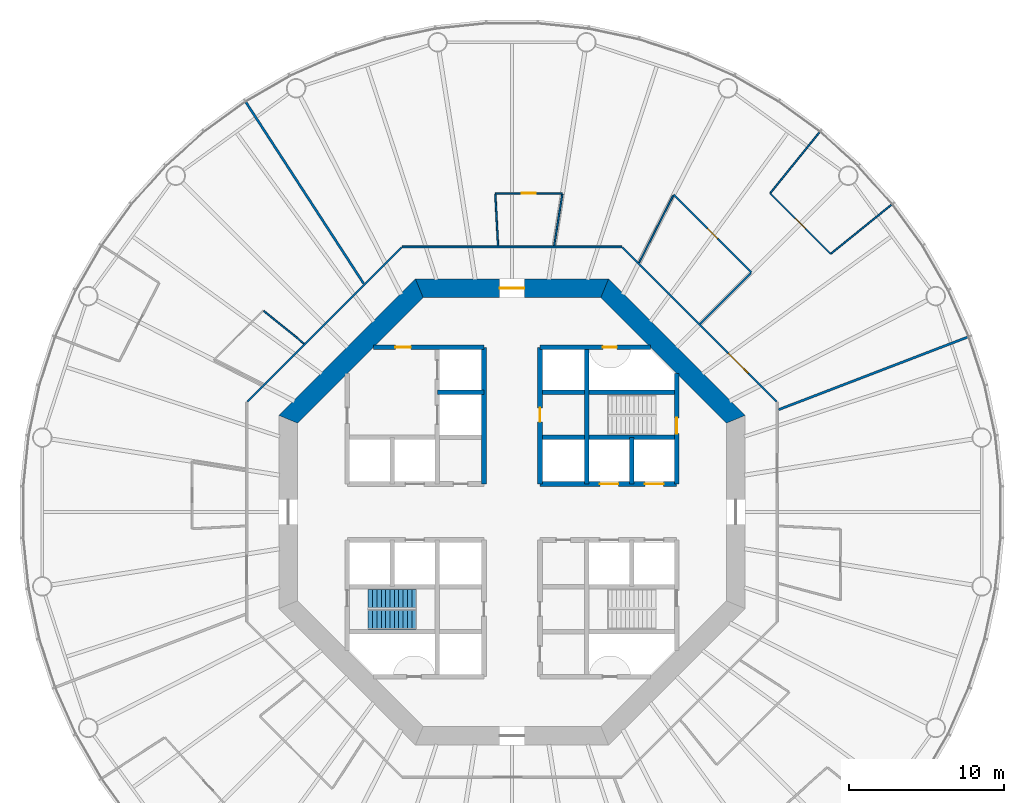
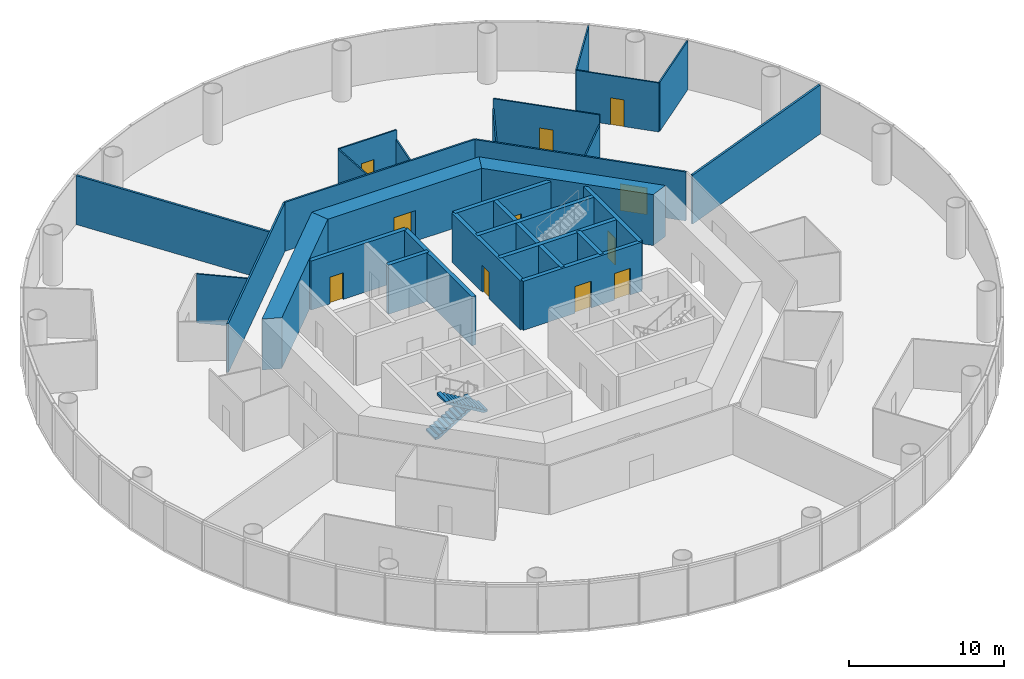
# One storey, part 5 of 13: 29 walls, 11 doors, 2 stair flights, 11 openings, 1 element without a shape of its own.
"""IFC4 building model written with IfcOpenShell, lengths in metres."""

from ifc_helpers import new_model, si_unit, direction, frame, frame_2d, origin, place, context, subcontext, project, spatial, polyline, rectangle, outline, extrude, material, layer, layer_set, type_object, element, fill, aggregate, save


model = new_model("IFC4")

# Units and contexts
model_context = context("Model", 3, precision=1e-05, world=origin(), true_north=direction((0.0, 1.0)))
body_context = subcontext(model_context, "Body", "Model", "MODEL_VIEW")
ifc_project = project(units=[si_unit("LENGTHUNIT", "METRE"), si_unit("AREAUNIT", "SQUARE_METRE"), si_unit("VOLUMEUNIT", "CUBIC_METRE"), si_unit("PLANEANGLEUNIT", "RADIAN"), si_unit("MASSUNIT", "GRAM", prefix="KILO")], contexts=[model_context])

# Site, building, storey
site_placement = place(None, origin())
site = spatial("IfcSite", under=ifc_project, at=site_placement, CompositionType="ELEMENT")
building_placement = place(site_placement, origin())
building = spatial("IfcBuilding", under=site, at=building_placement, Name="Entoto Ring Tower", CompositionType="ELEMENT")
storey_placement = place(building_placement, frame((0.0, 0.0, 108.0)))
storey = spatial("IfcBuildingStorey", under=building, at=storey_placement, Name="L24", CompositionType="ELEMENT", Elevation=108.0)

# Wall, opening, door
ifc_material_1 = material(Name="Concrete C40/50", Category="concrete")
ifc_layer_1 = layer(ifc_material_1, 0.300048828125)
ifc_layer_set_1 = layer_set([ifc_layer_1], Name="Concrete C40/50")
wall_type_1 = type_object("IfcWallType", Name="Core enclosure wall 300 mm reinforced concrete", PredefinedType="SOLIDWALL", material=ifc_layer_set_1)
wall_1_placement = place(storey_placement, frame((100.60009765625, 81.800048828125, 0.0), z_axis=(0.0, 0.0, 1.0), x_axis=(0.0, 1.0, 0.0)))
wall_1 = element("IfcWall", 1, at=wall_1_placement, inside=storey, type_object=wall_type_1, Name="wall-L24-002", PredefinedType="SOLIDWALL", context=body_context, shape_type="SweptSolid", body=[
    extrude(rectangle(XDim=7.115966796875, YDim=0.300048828125, at=frame_2d((3.55810546875, 0.0))), origin(), (0.0, 0.0, 1.0), 3.85009765625),
])
opening_1_placement = place(wall_1_placement, frame((3.25, 0.0, 0.0)))
opening_1 = element("IfcOpeningElement", 2, at=opening_1_placement, cuts=wall_1, Name="Opening K-17", PredefinedType="OPENING", context=body_context, shape_type="SweptSolid", body=[
    extrude(rectangle(XDim=1.0, YDim=2.10009765625, at=frame_2d((0.5, 1.050048828125))), frame((0.0, 0.16015625, 0.0), z_axis=(0.0, -1.0, 0.0), x_axis=(1.0, 0.0, 0.0)), (0.0, 0.0, 1.0), 0.320068359375),
])
ifc_material_2 = material(Name="Steel door leaf, fire rated", Category="steel")
ifc_layer_2 = layer(ifc_material_2, 0.050048828125)
ifc_layer_set_2 = layer_set([ifc_layer_2], Name="Steel door leaf, fire rated")
door_type_1 = type_object("IfcDoorType", Name="Fire door FD60 1000 x 2100 single leaf", OperationType="NOTDEFINED", PredefinedType="DOOR", material=ifc_layer_set_2)
door_1_placement = place(opening_1_placement, origin())
door_1 = element("IfcDoor", 3, at=door_1_placement, inside=storey, type_object=door_type_1, Name="Door K-17", OperationType="SINGLE_SWING_RIGHT", OverallHeight=2.10009765625, OverallWidth=1.0, PredefinedType="DOOR", context=body_context, shape_type="SweptSolid", body=[
    extrude(rectangle(XDim=1.0, YDim=2.10009765625, at=frame_2d((0.5, 1.050048828125))), frame((0.0, 0.02490234375, 0.0), z_axis=(0.0, -1.0, 0.0), x_axis=(1.0, 0.0, 0.0)), (0.0, 0.0, 1.0), 0.050048828125),
])
fill(opening_1, door_1)

# Walls
wall_2_placement = place(storey_placement, frame((97.699951171875, 81.800048828125, 0.0), z_axis=(0.0, 0.0, 1.0), x_axis=(0.0, 1.0, 0.0)))
element("IfcWall", 4, at=wall_2_placement, inside=storey, type_object=wall_type_1, Name="wall-L24-004", PredefinedType="SOLIDWALL", context=body_context, shape_type="SweptSolid", body=[
    extrude(rectangle(XDim=3.0, YDim=0.300048828125, at=frame_2d((1.5, 0.0))), origin(), (0.0, 0.0, 1.0), 3.85009765625),
])
wall_3_placement = place(storey_placement, frame((94.800048828125, 81.800048828125, 0.0), z_axis=(0.0, 0.0, 1.0), x_axis=(0.0, 1.0, 0.0)))
element("IfcWall", 5, at=wall_3_placement, inside=storey, type_object=wall_type_1, Name="wall-L24-006", PredefinedType="SOLIDWALL", context=body_context, shape_type="SweptSolid", body=[
    extrude(rectangle(XDim=8.800048828125, YDim=0.300048828125, at=frame_2d((4.39990234375, 0.0))), origin(), (0.0, 0.0, 1.0), 3.85009765625),
])

# Wall, opening, door
wall_4_placement = place(storey_placement, frame((91.800048828125, 81.800048828125, 0.0), z_axis=(0.0, 0.0, 1.0), x_axis=(0.0, 1.0, 0.0)))
wall_4 = element("IfcWall", 6, at=wall_4_placement, inside=storey, type_object=wall_type_1, Name="wall-L24-008", PredefinedType="SOLIDWALL", context=body_context, shape_type="SweptSolid", body=[
    extrude(rectangle(XDim=8.800048828125, YDim=0.300048828125, at=frame_2d((4.39990234375, 0.0))), origin(), (0.0, 0.0, 1.0), 3.85009765625),
])
opening_2_placement = place(wall_4_placement, frame((4.0, 0.0, 0.0)))
opening_2 = element("IfcOpeningElement", 7, at=opening_2_placement, cuts=wall_4, Name="Opening K-11", PredefinedType="OPENING", context=body_context, shape_type="SweptSolid", body=[
    extrude(rectangle(XDim=0.89990234375, YDim=2.10009765625, at=frame_2d((0.449951171875, 1.050048828125))), frame((0.0, 0.16015625, 0.0), z_axis=(0.0, -1.0, 0.0), x_axis=(1.0, 0.0, 0.0)), (0.0, 0.0, 1.0), 0.320068359375),
])
ifc_material_3 = material(Name="Steel door leaf, fire rated", Category="steel")
ifc_layer_3 = layer(ifc_material_3, 0.050048828125)
ifc_layer_set_3 = layer_set([ifc_layer_3], Name="Steel door leaf, fire rated")
door_type_2 = type_object("IfcDoorType", Name="Core door 900 x 2100 single leaf", OperationType="NOTDEFINED", PredefinedType="DOOR", material=ifc_layer_set_3)
door_2_placement = place(opening_2_placement, origin())
door_2 = element("IfcDoor", 8, at=door_2_placement, inside=storey, type_object=door_type_2, Name="Door K-11", OperationType="SINGLE_SWING_RIGHT", OverallHeight=2.10009765625, OverallWidth=0.89990234375, PredefinedType="DOOR", context=body_context, shape_type="SweptSolid", body=[
    extrude(rectangle(XDim=0.89990234375, YDim=2.10009765625, at=frame_2d((0.449951171875, 1.050048828125))), frame((0.0, 0.02490234375, 0.0), z_axis=(0.0, -1.0, 0.0), x_axis=(1.0, 0.0, 0.0)), (0.0, 0.0, 1.0), 0.050048828125),
])
fill(opening_2, door_2)

# Wall
wall_5_placement = place(storey_placement, frame((88.199951171875, 81.800048828125, 0.0), z_axis=(0.0, 0.0, 1.0), x_axis=(0.0, 1.0, 0.0)))
element("IfcWall", 9, at=wall_5_placement, inside=storey, type_object=wall_type_1, Name="wall-L24-010", PredefinedType="SOLIDWALL", context=body_context, shape_type="SweptSolid", body=[
    extrude(rectangle(XDim=8.800048828125, YDim=0.300048828125, at=frame_2d((4.39990234375, 0.0))), origin(), (0.0, 0.0, 1.0), 3.85009765625),
])

# Wall, openings, doors
wall_6_placement = place(storey_placement, frame((91.800048828125, 81.800048828125, 0.0), z_axis=(0.0, 0.0, 1.0), x_axis=(1.0, 0.0, 0.0)))
wall_6 = element("IfcWall", 10, at=wall_6_placement, inside=storey, type_object=wall_type_1, Name="wall-L24-026", PredefinedType="SOLIDWALL", context=body_context, shape_type="SweptSolid", body=[
    extrude(rectangle(XDim=8.800048828125, YDim=0.300048828125, at=frame_2d((4.39990234375, 0.0))), origin(), (0.0, 0.0, 1.0), 3.85009765625),
])
opening_3_placement = place(wall_6_placement, frame((3.85009765625, 0.0, 0.0)))
opening_3 = element("IfcOpeningElement", 11, at=opening_3_placement, cuts=wall_6, Name="Opening LD", PredefinedType="OPENING", context=body_context, shape_type="SweptSolid", body=[
    extrude(rectangle(XDim=1.199951171875, YDim=2.10009765625, at=frame_2d((0.60009765625, 1.050048828125))), frame((0.0, 0.16015625, 0.0), z_axis=(0.0, -1.0, 0.0), x_axis=(1.0, 0.0, 0.0)), (0.0, 0.0, 1.0), 0.320068359375),
])
opening_4_placement = place(wall_6_placement, frame((6.75, 0.0, 0.0)))
opening_4 = element("IfcOpeningElement", 12, at=opening_4_placement, cuts=wall_6, Name="Opening LD", PredefinedType="OPENING", context=body_context, shape_type="SweptSolid", body=[
    extrude(rectangle(XDim=1.199951171875, YDim=2.10009765625, at=frame_2d((0.60009765625, 1.050048828125))), frame((0.0, 0.16015625, 0.0), z_axis=(0.0, -1.0, 0.0), x_axis=(1.0, 0.0, 0.0)), (0.0, 0.0, 1.0), 0.320068359375),
])
ifc_material_4 = material(Name="Steel and glass door leaf", Category="steel")
ifc_layer_4 = layer(ifc_material_4, 0.050048828125)
ifc_layer_set_4 = layer_set([ifc_layer_4], Name="Steel and glass door leaf")
door_type_3 = type_object("IfcDoorType", Name="Landing door 1200 x 2100 sliding", OperationType="DOUBLE_DOOR_SLIDING", PredefinedType="DOOR", material=ifc_layer_set_4)
door_3_placement = place(opening_3_placement, origin())
door_3 = element("IfcDoor", 13, at=door_3_placement, inside=storey, type_object=door_type_3, Name="Landing door LB1-LR", OperationType="SLIDING_TO_RIGHT", OverallHeight=2.10009765625, OverallWidth=1.199951171875, PredefinedType="DOOR", context=body_context, shape_type="SweptSolid", body=[
    extrude(rectangle(XDim=1.199951171875, YDim=2.10009765625, at=frame_2d((0.60009765625, 1.050048828125))), frame((0.0, 0.02490234375, 0.0), z_axis=(0.0, -1.0, 0.0), x_axis=(1.0, 0.0, 0.0)), (0.0, 0.0, 1.0), 0.050048828125),
])
fill(opening_3, door_3)
door_4_placement = place(opening_4_placement, origin())
door_4 = element("IfcDoor", 14, at=door_4_placement, inside=storey, type_object=door_type_3, Name="Landing door LB2-LR", OperationType="SLIDING_TO_RIGHT", OverallHeight=2.10009765625, OverallWidth=1.199951171875, PredefinedType="DOOR", context=body_context, shape_type="SweptSolid", body=[
    extrude(rectangle(XDim=1.199951171875, YDim=2.10009765625, at=frame_2d((0.60009765625, 1.050048828125))), frame((0.0, 0.02490234375, 0.0), z_axis=(0.0, -1.0, 0.0), x_axis=(1.0, 0.0, 0.0)), (0.0, 0.0, 1.0), 0.050048828125),
])
fill(opening_4, door_4)

# Walls
wall_7_placement = place(storey_placement, frame((91.800048828125, 84.800048828125, 0.0), z_axis=(0.0, 0.0, 1.0), x_axis=(1.0, 0.0, 0.0)))
element("IfcWall", 15, at=wall_7_placement, inside=storey, type_object=wall_type_1, Name="wall-L24-028", PredefinedType="SOLIDWALL", context=body_context, shape_type="SweptSolid", body=[
    extrude(rectangle(XDim=8.800048828125, YDim=0.300048828125, at=frame_2d((4.39990234375, 0.0))), origin(), (0.0, 0.0, 1.0), 3.85009765625),
])
wall_8_placement = place(storey_placement, frame((85.199951171875, 87.699951171875, 0.0), z_axis=(0.0, 0.0, 1.0), x_axis=(1.0, 0.0, 0.0)))
element("IfcWall", 16, at=wall_8_placement, inside=storey, type_object=wall_type_1, Name="wall-L24-029", PredefinedType="SOLIDWALL", context=body_context, shape_type="SweptSolid", body=[
    extrude(rectangle(XDim=3.0, YDim=0.300048828125, at=frame_2d((1.5, 0.0))), origin(), (0.0, 0.0, 1.0), 3.85009765625),
])
wall_9_placement = place(storey_placement, frame((91.800048828125, 87.699951171875, 0.0), z_axis=(0.0, 0.0, 1.0), x_axis=(1.0, 0.0, 0.0)))
element("IfcWall", 17, at=wall_9_placement, inside=storey, type_object=wall_type_1, Name="wall-L24-030", PredefinedType="SOLIDWALL", context=body_context, shape_type="SweptSolid", body=[
    extrude(rectangle(XDim=8.800048828125, YDim=0.300048828125, at=frame_2d((4.39990234375, 0.0))), origin(), (0.0, 0.0, 1.0), 3.85009765625),
])

# Wall, opening, door
wall_10_placement = place(storey_placement, frame((81.083984375, 90.60009765625, 0.0), z_axis=(0.0, 0.0, 1.0), x_axis=(1.0, 0.0, 0.0)))
wall_10 = element("IfcWall", 18, at=wall_10_placement, inside=storey, type_object=wall_type_1, Name="wall-L24-031", PredefinedType="SOLIDWALL", context=body_context, shape_type="SweptSolid", body=[
    extrude(rectangle(XDim=7.115966796875, YDim=0.300048828125, at=frame_2d((3.55810546875, 0.0))), origin(), (0.0, 0.0, 1.0), 3.85009765625),
])
opening_5_placement = place(wall_10_placement, frame((1.416015625, 0.0, 0.0)))
opening_5 = element("IfcOpeningElement", 19, at=opening_5_placement, cuts=wall_10, Name="Opening K-73", PredefinedType="OPENING", context=body_context, shape_type="SweptSolid", body=[
    extrude(rectangle(XDim=1.0, YDim=2.10009765625, at=frame_2d((0.5, 1.050048828125))), frame((0.0, 0.16015625, 0.0), z_axis=(0.0, -1.0, 0.0), x_axis=(1.0, 0.0, 0.0)), (0.0, 0.0, 1.0), 0.320068359375),
])
door_5_placement = place(opening_5_placement, frame((1.0, 0.0, 0.0), z_axis=(0.0, 0.0, 1.0), x_axis=(-1.0, 0.0, 0.0)))
door_5 = element("IfcDoor", 20, at=door_5_placement, inside=storey, type_object=door_type_1, Name="Door K-73", OperationType="SINGLE_SWING_RIGHT", OverallHeight=2.10009765625, OverallWidth=1.0, PredefinedType="DOOR", context=body_context, shape_type="SweptSolid", body=[
    extrude(rectangle(XDim=1.0, YDim=2.10009765625, at=frame_2d((0.5, 1.050048828125))), frame((0.0, 0.02490234375, 0.0), z_axis=(0.0, -1.0, 0.0), x_axis=(1.0, 0.0, 0.0)), (0.0, 0.0, 1.0), 0.050048828125),
])
fill(opening_5, door_5)

wall_11_placement = place(storey_placement, frame((91.800048828125, 90.60009765625, 0.0), z_axis=(0.0, 0.0, 1.0), x_axis=(1.0, 0.0, 0.0)))
wall_11 = element("IfcWall", 21, at=wall_11_placement, inside=storey, type_object=wall_type_1, Name="wall-L24-032", PredefinedType="SOLIDWALL", context=body_context, shape_type="SweptSolid", body=[
    extrude(rectangle(XDim=7.115966796875, YDim=0.300048828125, at=frame_2d((3.55810546875, 0.0))), origin(), (0.0, 0.0, 1.0), 3.85009765625),
])
opening_6_placement = place(wall_11_placement, frame((4.050048828125, 0.0, 0.0)))
opening_6 = element("IfcOpeningElement", 22, at=opening_6_placement, cuts=wall_11, Name="Opening K-20", PredefinedType="OPENING", context=body_context, shape_type="SweptSolid", body=[
    extrude(rectangle(XDim=0.89990234375, YDim=2.10009765625, at=frame_2d((0.449951171875, 1.050048828125))), frame((0.0, 0.16015625, 0.0), z_axis=(0.0, -1.0, 0.0), x_axis=(1.0, 0.0, 0.0)), (0.0, 0.0, 1.0), 0.320068359375),
])
ifc_material_5 = material(Name="Steel door leaf, fire rated", Category="steel")
ifc_layer_5 = layer(ifc_material_5, 0.050048828125)
ifc_layer_set_5 = layer_set([ifc_layer_5], Name="Steel door leaf, fire rated")
door_type_4 = type_object("IfcDoorType", Name="Riser door FD60 900 x 2100 single leaf", OperationType="NOTDEFINED", PredefinedType="DOOR", material=ifc_layer_set_5)
door_6_placement = place(opening_6_placement, frame((0.89990234375, 0.0, 0.0), z_axis=(0.0, 0.0, 1.0), x_axis=(-1.0, 0.0, 0.0)))
door_6 = element("IfcDoor", 23, at=door_6_placement, inside=storey, type_object=door_type_4, Name="Door K-20", OperationType="SINGLE_SWING_LEFT", OverallHeight=2.10009765625, OverallWidth=0.89990234375, PredefinedType="DOOR", context=body_context, shape_type="SweptSolid", body=[
    extrude(rectangle(XDim=0.89990234375, YDim=2.10009765625, at=frame_2d((0.449951171875, 1.050048828125))), frame((0.0, 0.02490234375, 0.0), z_axis=(0.0, -1.0, 0.0), x_axis=(1.0, 0.0, 0.0)), (0.0, 0.0, 1.0), 0.050048828125),
])
fill(opening_6, door_6)

# Wall
ifc_material_6 = material(Name="Concrete C60/75", Category="concrete")
ifc_layer_6 = layer(ifc_material_6, 1.199951171875)
ifc_layer_set_6 = layer_set([ifc_layer_6], Name="Concrete C60/75")
wall_type_2 = type_object("IfcWallType", Name="Core shear wall 1200 mm reinforced concrete C60/75", PredefinedType="SHEAR", material=ifc_layer_set_6)
wall_12_placement = place(storey_placement, frame((104.39990234375, 85.964599609375, 0.0), z_axis=(0.0, 0.0, 1.0), x_axis=(-0.707106781187, 0.707106781187, 0.0)))
element("IfcWall", 24, at=wall_12_placement, inside=storey, type_object=wall_type_2, Name="wall-L24-core-1", PredefinedType="SHEAR", context=body_context, shape_type="SweptSolid", body=[
    extrude(outline(polyline([(-0.24853515625, -0.60009765625), (12.177734375, -0.60009765625), (11.6806640625, 0.60009765625), (0.24853515625, 0.60009765625), (-0.24853515625, -0.60009765625)])), origin(), (0.0, 0.0, 1.0), 4.0),
])

# Wall, opening, door
wall_13_placement = place(storey_placement, frame((95.964599609375, 94.39990234375, 0.0), z_axis=(0.0, 0.0, 1.0), x_axis=(-1.0, 0.0, 0.0)))
wall_13 = element("IfcWall", 25, at=wall_13_placement, inside=storey, type_object=wall_type_2, Name="wall-L24-core-2", PredefinedType="SHEAR", context=body_context, shape_type="SweptSolid", body=[
    extrude(outline(polyline([(-0.24853515625, -0.60009765625), (12.177734375, -0.60009765625), (11.6806640625, 0.60009765625), (0.24853515625, 0.60009765625), (-0.24853515625, -0.60009765625)])), origin(), (0.0, 0.0, 1.0), 4.0),
])
opening_7_placement = place(wall_13_placement, frame((5.164794921875, 0.0, 0.0)))
opening_7 = element("IfcOpeningElement", 26, at=opening_7_placement, cuts=wall_13, Name="Opening K-02", PredefinedType="OPENING", context=body_context, shape_type="SweptSolid", body=[
    extrude(rectangle(XDim=1.60009765625, YDim=2.39990234375, at=frame_2d((0.800048828125, 1.199951171875))), frame((0.0, 0.60986328125, 0.0), z_axis=(0.0, -1.0, 0.0), x_axis=(1.0, 0.0, 0.0)), (0.0, 0.0, 1.0), 1.219970703125),
])
ifc_material_7 = material(Name="Steel door leaf, fire rated", Category="steel")
ifc_layer_7 = layer(ifc_material_7, 0.050048828125)
ifc_layer_set_7 = layer_set([ifc_layer_7], Name="Steel door leaf, fire rated")
door_type_5 = type_object("IfcDoorType", Name="Entrance door FD60 1600 x 2400 double leaf", OperationType="DOUBLE_DOOR_SINGLE_SWING", PredefinedType="DOOR", material=ifc_layer_set_7)
door_7_placement = place(opening_7_placement, origin())
door_7 = element("IfcDoor", 27, at=door_7_placement, inside=storey, type_object=door_type_5, Name="Entrance door K-02", OperationType="DOUBLE_DOOR_SINGLE_SWING", OverallHeight=2.39990234375, OverallWidth=1.60009765625, PredefinedType="DOOR", context=body_context, shape_type="SweptSolid", body=[
    extrude(rectangle(XDim=1.60009765625, YDim=2.39990234375, at=frame_2d((0.800048828125, 1.199951171875))), frame((0.0, 0.02490234375, 0.0), z_axis=(0.0, -1.0, 0.0), x_axis=(1.0, 0.0, 0.0)), (0.0, 0.0, 1.0), 0.050048828125),
])
fill(opening_7, door_7)

# Walls
wall_14_placement = place(storey_placement, frame((84.035400390625, 94.39990234375, 0.0), z_axis=(0.0, 0.0, 1.0), x_axis=(-0.707106781187, -0.707106781187, 0.0)))
element("IfcWall", 28, at=wall_14_placement, inside=storey, type_object=wall_type_2, Name="wall-L24-core-3", PredefinedType="SHEAR", context=body_context, shape_type="SweptSolid", body=[
    extrude(outline(polyline([(-0.24853515625, -0.60009765625), (12.177734375, -0.60009765625), (11.6806640625, 0.60009765625), (0.24853515625, 0.60009765625), (-0.24853515625, -0.60009765625)])), origin(), (0.0, 0.0, 1.0), 4.0),
])
ifc_material_8 = material(Name="Fire-resisting plasterboard on steel studs", Category="steel")
ifc_layer_8 = layer(ifc_material_8, 0.125)
ifc_layer_set_8 = layer_set([ifc_layer_8], Name="Fire-resisting plasterboard on steel studs")
wall_type_3 = type_object("IfcWallType", Name="Corridor wall 125 mm one-hour plasterboard on steel studs", PredefinedType="PARTITIONING", material=ifc_layer_set_8)
wall_15_placement = place(storey_placement, frame((82.9326171875, 97.0625, 0.0), z_axis=(0.0, 0.0, 1.0), x_axis=(1.0, 0.0, 0.0)))
element("IfcWall", 29, at=wall_15_placement, inside=storey, type_object=wall_type_3, Name="partition-L24-003", PredefinedType="PARTITIONING", context=body_context, shape_type="SweptSolid", body=[
    extrude(rectangle(XDim=14.134765625, YDim=0.125, at=frame_2d((7.0673828125, 0.0))), origin(), (0.0, 0.0, 1.0), 3.85009765625),
])
wall_16_placement = place(storey_placement, frame((72.968505859375, 87.0986328125, 0.0), z_axis=(0.0, 0.0, 1.0), x_axis=(0.707106781187, 0.707106781187, 0.0)))
element("IfcWall", 30, at=wall_16_placement, inside=storey, type_object=wall_type_3, Name="partition-L24-005", PredefinedType="PARTITIONING", context=body_context, shape_type="SweptSolid", body=[
    extrude(rectangle(XDim=14.047119140625, YDim=0.125, at=frame_2d((7.0234375, 0.0))), origin(), (0.0, 0.0, 1.0), 3.85009765625),
])

# Wall, opening, door
wall_17_placement = place(storey_placement, frame((107.031494140625, 87.0986328125, 0.0), z_axis=(0.0, 0.0, 1.0), x_axis=(-0.707106781187, 0.707106781187, 0.0)))
wall_17 = element("IfcWall", 31, at=wall_17_placement, inside=storey, type_object=wall_type_3, Name="partition-L24-008", PredefinedType="PARTITIONING", context=body_context, shape_type="SweptSolid", body=[
    extrude(rectangle(XDim=14.047119140625, YDim=0.125, at=frame_2d((7.0234375, 0.0))), origin(), (0.0, 0.0, 1.0), 3.85009765625),
])
opening_8_placement = place(wall_17_placement, frame((2.58984375, 0.0, 0.0)))
opening_8 = element("IfcOpeningElement", 32, at=opening_8_placement, cuts=wall_17, Name="Opening A10-D01", PredefinedType="OPENING", context=body_context, shape_type="SweptSolid", body=[
    extrude(rectangle(XDim=1.800048828125, YDim=2.10009765625, at=frame_2d((0.89990234375, 1.050048828125))), frame((0.0, 0.072509765625, 0.0), z_axis=(0.0, -1.0, 0.0), x_axis=(1.0, 0.0, 0.0)), (0.0, 0.0, 1.0), 0.14501953125),
])
ifc_material_9 = material(Name="Fire-resisting timber door set", Category="wood")
door_type_6 = type_object("IfcDoorType", Name="Door 1800 x 2100 double leaf FD30S fire door", OperationType="DOUBLE_DOOR_SINGLE_SWING", PredefinedType="DOOR", material=ifc_material_9)
door_8_placement = place(opening_8_placement, origin())
door_8 = element("IfcDoor", 33, at=door_8_placement, inside=storey, type_object=door_type_6, Name="Door A10-D01", OperationType="DOUBLE_DOOR_SINGLE_SWING", OverallHeight=2.10009765625, OverallWidth=1.800048828125, PredefinedType="DOOR", context=body_context, shape_type="SweptSolid", body=[
    extrude(rectangle(XDim=1.800048828125, YDim=2.10009765625, at=frame_2d((0.89990234375, 1.050048828125))), frame((0.0, 0.02490234375, 0.0), z_axis=(0.0, -1.0, 0.0), x_axis=(1.0, 0.0, 0.0)), (0.0, 0.0, 1.0), 0.050048828125),
])
fill(opening_8, door_8)

ifc_material_10 = material(Name="Plasterboard on steel studs", Category="steel")
ifc_layer_9 = layer(ifc_material_10, 0.10009765625)
ifc_layer_set_9 = layer_set([ifc_layer_9], Name="Plasterboard on steel studs")
wall_type_4 = type_object("IfcWallType", Name="Partition 100 mm plasterboard on steel studs", PredefinedType="PARTITIONING", material=ifc_layer_set_9)
wall_18_placement = place(storey_placement, frame((105.40966796875, 95.40966796875, 0.0), z_axis=(0.0, 0.0, 1.0), x_axis=(-0.707124020335, 0.707089541618, 0.0)))
wall_18 = element("IfcWall", 34, at=wall_18_placement, inside=storey, type_object=wall_type_4, Name="partition-L24-015", PredefinedType="PARTITIONING", context=body_context, shape_type="SweptSolid", body=[
    extrude(rectangle(XDim=7.080810546875, YDim=0.10009765625, at=frame_2d((3.54052734375, 0.0))), origin(), (0.0, 0.0, 1.0), 3.85009765625),
])
opening_9_placement = place(wall_18_placement, frame((3.09033203125, 0.0, 0.0)))
opening_9 = element("IfcOpeningElement", 35, at=opening_9_placement, cuts=wall_18, Name="Opening A10-D02", PredefinedType="OPENING", context=body_context, shape_type="SweptSolid", body=[
    extrude(rectangle(XDim=0.89990234375, YDim=2.10009765625, at=frame_2d((0.449951171875, 1.050048828125))), frame((0.0, 0.06005859375, 0.0), z_axis=(0.0, -1.0, 0.0), x_axis=(1.0, 0.0, 0.0)), (0.0, 0.0, 1.0), 0.1201171875),
])
ifc_material_11 = material(Name="Veneered timber door leaf in timber frame", Category="wood")
door_type_7 = type_object("IfcDoorType", Name="Door 900 x 2100 single leaf timber veneer", OperationType="NOTDEFINED", PredefinedType="DOOR", material=ifc_material_11)
door_9_placement = place(opening_9_placement, origin())
door_9 = element("IfcDoor", 36, at=door_9_placement, inside=storey, type_object=door_type_7, Name="Door A10-D02", OperationType="SINGLE_SWING_RIGHT", OverallHeight=2.10009765625, OverallWidth=0.89990234375, PredefinedType="DOOR", context=body_context, shape_type="SweptSolid", body=[
    extrude(rectangle(XDim=0.89990234375, YDim=2.10009765625, at=frame_2d((0.449951171875, 1.050048828125))), frame((0.0, 0.02490234375, 0.0), z_axis=(0.0, -1.0, 0.0), x_axis=(1.0, 0.0, 0.0)), (0.0, 0.0, 1.0), 0.050048828125),
])
fill(opening_9, door_9)

wall_19_placement = place(storey_placement, frame((110.5087890625, 96.60791015625, 0.0), z_axis=(0.0, 0.0, 1.0), x_axis=(-0.707106781187, 0.707106781187, 0.0)))
wall_19 = element("IfcWall", 37, at=wall_19_placement, inside=storey, type_object=wall_type_4, Name="partition-L24-019", PredefinedType="PARTITIONING", context=body_context, shape_type="SweptSolid", body=[
    extrude(rectangle(XDim=5.5166015625, YDim=0.10009765625, at=frame_2d((2.75830078125, 0.0))), origin(), (0.0, 0.0, 1.0), 3.85009765625),
])
opening_10_placement = place(wall_19_placement, frame((2.30859375, 0.0, 0.0)))
opening_10 = element("IfcOpeningElement", 38, at=opening_10_placement, cuts=wall_19, Name="Opening A10-D04", PredefinedType="OPENING", context=body_context, shape_type="SweptSolid", body=[
    extrude(rectangle(XDim=0.89990234375, YDim=2.10009765625, at=frame_2d((0.449951171875, 1.050048828125))), frame((0.0, 0.06005859375, 0.0), z_axis=(0.0, -1.0, 0.0), x_axis=(1.0, 0.0, 0.0)), (0.0, 0.0, 1.0), 0.1201171875),
])
door_10_placement = place(opening_10_placement, frame((0.89990234375, 0.0, 0.0), z_axis=(0.0, 0.0, 1.0), x_axis=(-1.0, 0.0, 0.0)))
door_10 = element("IfcDoor", 39, at=door_10_placement, inside=storey, type_object=door_type_7, Name="Door A10-D04", OperationType="SINGLE_SWING_LEFT", OverallHeight=2.10009765625, OverallWidth=0.89990234375, PredefinedType="DOOR", context=body_context, shape_type="SweptSolid", body=[
    extrude(rectangle(XDim=0.89990234375, YDim=2.10009765625, at=frame_2d((0.449951171875, 1.050048828125))), frame((0.0, 0.02490234375, 0.0), z_axis=(0.0, -1.0, 0.0), x_axis=(1.0, 0.0, 0.0)), (0.0, 0.0, 1.0), 0.050048828125),
])
fill(opening_10, door_10)

# Walls
for number, where, z_axis, x_axis, name in (
    (40, (106.638916015625, 100.547607421875, 0.0), (0.0, 0.0, 1.0), (0.629340075028, 0.777130021273, 0.0), "partition-L24-022"),
    (41, (110.547607421875, 96.638916015625, 0.0), (0.0, 0.0, 1.0), (0.777130021273, 0.629340075028, 0.0), "partition-L24-023"),
):
    element("IfcWall", number, at=place(storey_placement, frame(where, z_axis=z_axis, x_axis=x_axis)), inside=storey, type_object=wall_type_4, Name=name, PredefinedType="PARTITIONING", context=body_context, shape_type="SweptSolid", body=[
        extrude(rectangle(XDim=5.00048828125, YDim=0.10009765625, at=frame_2d((2.500244140625, 0.0))), origin(), (0.0, 0.0, 1.0), 3.85009765625),
    ])

# Wall, opening, door
wall_20_placement = place(storey_placement, frame((88.925537109375, 100.50244140625, 0.0), z_axis=(0.0, 0.0, 1.0), x_axis=(1.0, 0.0, 0.0)))
wall_20 = element("IfcWall", 42, at=wall_20_placement, inside=storey, type_object=wall_type_4, Name="partition-L24-033", PredefinedType="PARTITIONING", context=body_context, shape_type="SweptSolid", body=[
    extrude(rectangle(XDim=4.32177734375, YDim=0.10009765625, at=frame_2d((2.160888671875, 0.0))), origin(), (0.0, 0.0, 1.0), 3.85009765625),
])
opening_11_placement = place(wall_20_placement, frame((1.7109375, 0.0, 0.0)))
opening_11 = element("IfcOpeningElement", 43, at=opening_11_placement, cuts=wall_20, Name="Opening A10-D03", PredefinedType="OPENING", context=body_context, shape_type="SweptSolid", body=[
    extrude(rectangle(XDim=0.89990234375, YDim=2.10009765625, at=frame_2d((0.449951171875, 1.050048828125))), frame((0.0, 0.06005859375, 0.0), z_axis=(0.0, -1.0, 0.0), x_axis=(1.0, 0.0, 0.0)), (0.0, 0.0, 1.0), 0.1201171875),
])
door_11_placement = place(opening_11_placement, frame((0.89990234375, 0.0, 0.0), z_axis=(0.0, 0.0, 1.0), x_axis=(-1.0, 0.0, 0.0)))
door_11 = element("IfcDoor", 44, at=door_11_placement, inside=storey, type_object=door_type_7, Name="Door A10-D03", OperationType="SINGLE_SWING_LEFT", OverallHeight=2.10009765625, OverallWidth=0.89990234375, PredefinedType="DOOR", context=body_context, shape_type="SweptSolid", body=[
    extrude(rectangle(XDim=0.89990234375, YDim=2.10009765625, at=frame_2d((0.449951171875, 1.050048828125))), frame((0.0, 0.02490234375, 0.0), z_axis=(0.0, -1.0, 0.0), x_axis=(1.0, 0.0, 0.0)), (0.0, 0.0, 1.0), 0.050048828125),
])
fill(opening_11, door_11)

# Walls
wall_21_placement = place(storey_placement, frame((76.614013671875, 90.83984375, 0.0), z_axis=(0.0, 0.0, 1.0), x_axis=(-0.777180008876, 0.629278343663, 0.0)))
element("IfcWall", 45, at=wall_21_placement, inside=storey, type_object=wall_type_4, Name="partition-L24-044", PredefinedType="PARTITIONING", context=body_context, shape_type="SweptSolid", body=[
    extrude(rectangle(XDim=3.3310546875, YDim=0.10009765625, at=frame_2d((1.66552734375, 0.0))), origin(), (0.0, 0.0, 1.0), 3.85009765625),
])
wall_22_placement = place(storey_placement, frame((89.102294921875, 97.127685546875, 0.0), z_axis=(0.0, 0.0, 1.0), x_axis=(-0.052323876368, 0.998630167761, 0.0)))
element("IfcWall", 46, at=wall_22_placement, inside=storey, type_object=wall_type_4, Name="partition-L24-045", PredefinedType="PARTITIONING", context=body_context, shape_type="SweptSolid", body=[
    extrude(rectangle(XDim=3.326904296875, YDim=0.10009765625, at=frame_2d((1.66357421875, 0.0))), origin(), (0.0, 0.0, 1.0), 3.85009765625),
])
ifc_material_12 = material(Name="Plasterboard on steel studs", Category="steel")
ifc_layer_10 = layer(ifc_material_12, 0.10009765625)
ifc_layer_set_10 = layer_set([ifc_layer_10], Name="Plasterboard on steel studs")
wall_type_5 = type_object("IfcWallType", Name="Partition 100 mm plasterboard on steel studs, 3097 mm high", PredefinedType="PARTITIONING", material=ifc_layer_set_10)
wall_23_placement = place(storey_placement, frame((98.181884765625, 96.05810546875, 0.0), z_axis=(0.0, 0.0, 1.0), x_axis=(0.454024360391, 0.890989270514, 0.0)))
element("IfcWall", 47, at=wall_23_placement, inside=storey, type_object=wall_type_5, Name="partition-L24-024", PredefinedType="PARTITIONING", context=body_context, shape_type="SweptSolid", body=[
    extrude(rectangle(XDim=4.82275390625, YDim=0.10009765625, at=frame_2d((2.411376953125, 0.0))), origin(), (0.0, 0.0, 1.0), 3.096923828125),
])
wall_24_placement = place(storey_placement, frame((102.109375, 92.109375, 0.0), z_axis=(0.0, 0.0, 1.0), x_axis=(0.707106781187, 0.707106781187, 0.0)))
element("IfcWall", 48, at=wall_24_placement, inside=storey, type_object=wall_type_5, Name="partition-L24-027", PredefinedType="PARTITIONING", context=body_context, shape_type="SweptSolid", body=[
    extrude(rectangle(XDim=4.6171875, YDim=0.10009765625, at=frame_2d((2.30859375, 0.0))), origin(), (0.0, 0.0, 1.0), 3.096923828125),
])
wall_25_placement = place(storey_placement, frame((92.713623046875, 97.1328125, 0.0), z_axis=(0.0, 0.0, 1.0), x_axis=(0.156388773261, 0.987695576379, 0.0)))
element("IfcWall", 49, at=wall_25_placement, inside=storey, type_object=wall_type_5, Name="partition-L24-043", PredefinedType="PARTITIONING", context=body_context, shape_type="SweptSolid", body=[
    extrude(rectangle(XDim=3.353271484375, YDim=0.10009765625, at=frame_2d((1.6767578125, 0.0))), origin(), (0.0, 0.0, 1.0), 3.096923828125),
])
ifc_material_13 = material(Name="Fire-resisting acoustic plasterboard on steel studs", Category="steel")
ifc_layer_11 = layer(ifc_material_13, 0.14990234375)
ifc_layer_set_11 = layer_set([ifc_layer_11], Name="Fire-resisting acoustic plasterboard on steel studs")
wall_type_6 = type_object("IfcWallType", Name="Party wall 150 mm one-hour acoustic plasterboard on steel studs", PredefinedType="PARTITIONING", material=ifc_layer_set_11)
wall_26_placement = place(storey_placement, frame((80.4560546875, 94.6962890625, 0.0), z_axis=(0.0, 0.0, 1.0), x_axis=(-0.544636211726, 0.838672401404, 0.0)))
element("IfcWall", 50, at=wall_26_placement, inside=storey, type_object=wall_type_6, Name="partition-L24-009", PredefinedType="PARTITIONING", context=body_context, shape_type="SweptSolid", body=[
    extrude(rectangle(XDim=13.916748046875, YDim=0.14990234375, at=frame_2d((6.95849609375, 0.0))), origin(), (0.0, 0.0, 1.0), 3.85009765625),
])
wall_27_placement = place(storey_placement, frame((107.151611328125, 86.583984375, 0.0), z_axis=(0.0, 0.0, 1.0), x_axis=(0.933583261388, 0.358360564315, 0.0)))
element("IfcWall", 51, at=wall_27_placement, inside=storey, type_object=wall_type_6, Name="partition-L24-012", PredefinedType="PARTITIONING", context=body_context, shape_type="SweptSolid", body=[
    extrude(rectangle(XDim=13.068115234375, YDim=0.14990234375, at=frame_2d((6.5341796875, 0.0))), origin(), (0.0, 0.0, 1.0), 3.85009765625),
])

# Stair, stair flights
ifc_material_14 = material(Name="Concrete C40/50", Category="concrete")
stair_type = type_object("IfcStairType", Name="Exit stair 1200 mm dog-leg reinforced concrete", PredefinedType="HALF_TURN_STAIR", material=ifc_material_14)
stair_placement = place(storey_placement, origin())
stair = element("IfcStair", 52, at=stair_placement, inside=storey, type_object=stair_type, Name="Exit stair 2", PredefinedType="HALF_TURN_STAIR")
ifc_material_15 = material(Name="Concrete C40/50", Category="concrete")
stair_flight_type = type_object("IfcStairFlightType", Name="Stair flight 1200 mm reinforced concrete", PredefinedType="STRAIGHT", material=ifc_material_15)
stair_flight_1_placement = place(storey_placement, frame((80.75, 74.449951171875, 0.0), z_axis=(0.0, 0.0, 1.0), x_axis=(1.0, 0.0, 0.0)))
stair_flight_1 = element("IfcStairFlight", 53, at=stair_flight_1_placement, type_object=stair_flight_type, Name="ST2 flight 1", NumberOfRisers=12, NumberOfTreads=11, PredefinedType="STRAIGHT", RiserHeight=0.166666667, TreadLength=0.28, context=body_context, shape_type="SweptSolid", body=[
    extrude(outline(polyline([(0.0, 0.0), (0.0, 0.166748046875), (0.280029296875, 0.166748046875), (0.280029296875, 0.333251953125), (0.56005859375, 0.333251953125), (0.56005859375, 0.5), (0.840087890625, 0.5), (0.840087890625, 0.666748046875), (1.1201171875, 0.666748046875), (1.1201171875, 0.833251953125), (1.39990234375, 0.833251953125), (1.39990234375, 1.0), (1.679931640625, 1.0), (1.679931640625, 1.166748046875), (1.9599609375, 1.166748046875), (1.9599609375, 1.333251953125), (2.239990234375, 1.333251953125), (2.239990234375, 1.5), (2.52001953125, 1.5), (2.52001953125, 1.666748046875), (2.800048828125, 1.666748046875), (2.800048828125, 1.833251953125), (3.080078125, 1.833251953125), (3.080078125, 2.0), (3.080078125, 1.658935546875), (0.29296875, 0.0), (0.0, 0.0)])), frame((0.0, 0.60009765625, 0.0), z_axis=(0.0, -1.0, 0.0), x_axis=(1.0, 0.0, 0.0)), (0.0, 0.0, 1.0), 1.199951171875),
])
stair_flight_2_placement = place(storey_placement, frame((83.830078125, 73.050048828125, 2.0), z_axis=(0.0, 0.0, 1.0), x_axis=(-1.0, 0.0, 0.0)))
stair_flight_2 = element("IfcStairFlight", 54, at=stair_flight_2_placement, type_object=stair_flight_type, Name="ST2 flight 2", NumberOfRisers=12, NumberOfTreads=11, PredefinedType="STRAIGHT", RiserHeight=0.166666667, TreadLength=0.28, context=body_context, shape_type="SweptSolid", body=[
    extrude(outline(polyline([(0.0, 0.0), (0.0, 0.166748046875), (0.280029296875, 0.166748046875), (0.280029296875, 0.333251953125), (0.56005859375, 0.333251953125), (0.56005859375, 0.5), (0.840087890625, 0.5), (0.840087890625, 0.666748046875), (1.1201171875, 0.666748046875), (1.1201171875, 0.833251953125), (1.39990234375, 0.833251953125), (1.39990234375, 1.0), (1.679931640625, 1.0), (1.679931640625, 1.166748046875), (1.9599609375, 1.166748046875), (1.9599609375, 1.333251953125), (2.239990234375, 1.333251953125), (2.239990234375, 1.5), (2.52001953125, 1.5), (2.52001953125, 1.666748046875), (2.800048828125, 1.666748046875), (2.800048828125, 1.833251953125), (3.080078125, 1.833251953125), (3.080078125, 2.0), (3.080078125, 1.658935546875), (0.29296875, 0.0), (0.0, 0.0)])), frame((0.0, 0.60009765625, 0.0), z_axis=(0.0, -1.0, 0.0), x_axis=(1.0, 0.0, 0.0)), (0.0, 0.0, 1.0), 1.199951171875),
])
aggregate(stair, [stair_flight_1, stair_flight_2])

save(model, "model.ifc")
